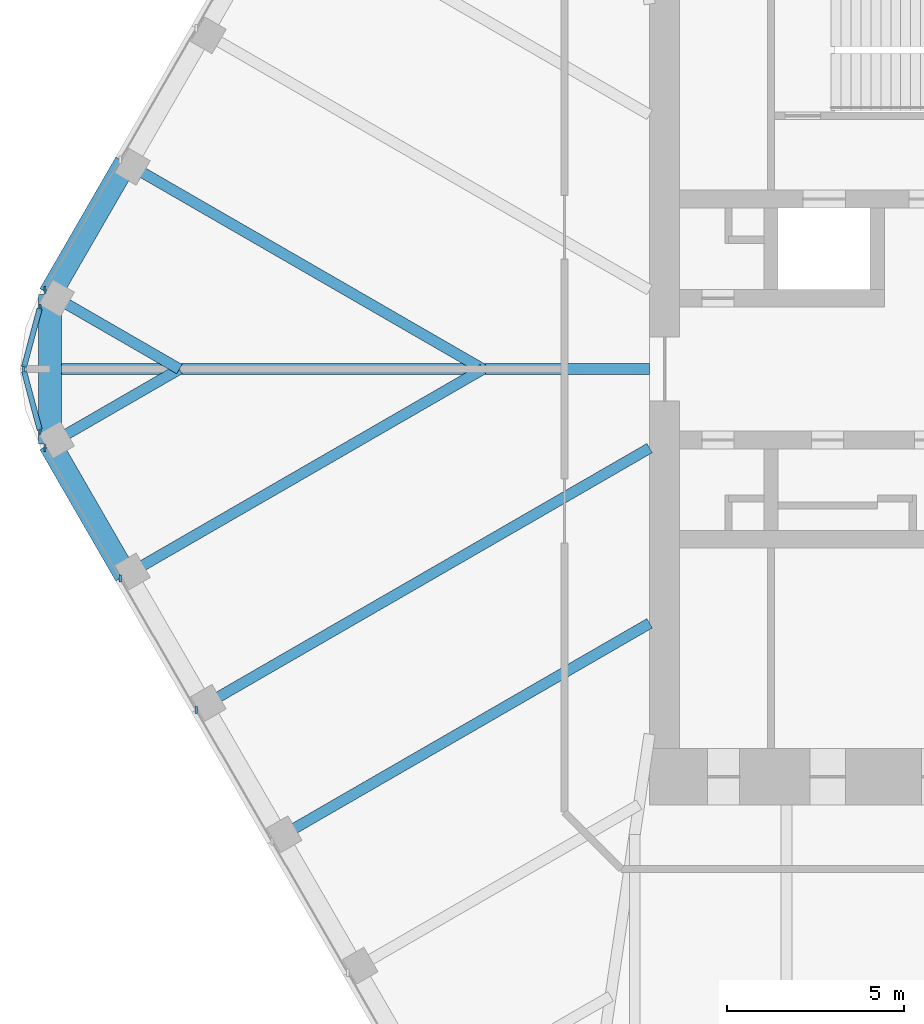
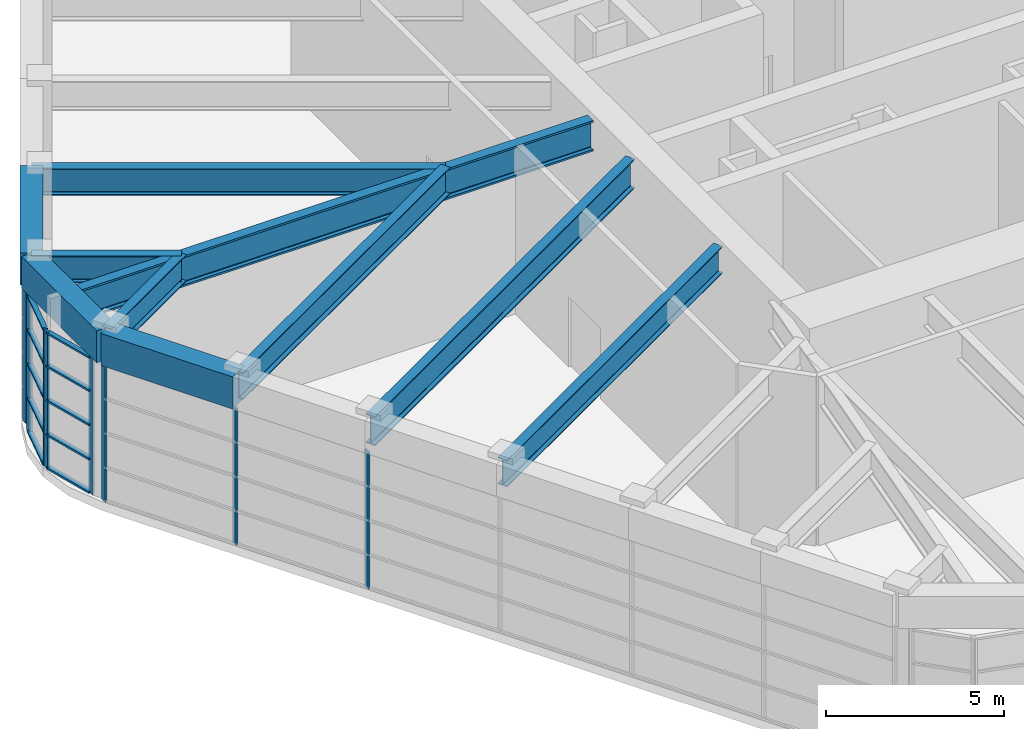
# One storey, part 4 of 16: 18 members, 10 beams, 4 elements without a shape of their own.
"""IFC4 building model written with IfcOpenShell, lengths in metres."""

from ifc_helpers import new_model, si_unit, direction, frame, origin, origin_2d, place, context, subcontext, project, spatial, rectangle, i_section, extrude, material, material_profile, profile_set, type_object, element, aggregate, save


model = new_model("IFC4")

# Units and contexts
model_context = context("Model", 3, precision=1e-05, world=origin(), true_north=direction((0.0, 1.0)))
body_context = subcontext(model_context, "Body", "Model", "MODEL_VIEW")
ifc_project = project(units=[si_unit("LENGTHUNIT", "METRE"), si_unit("AREAUNIT", "SQUARE_METRE"), si_unit("VOLUMEUNIT", "CUBIC_METRE"), si_unit("PLANEANGLEUNIT", "RADIAN"), si_unit("MASSUNIT", "GRAM", prefix="KILO")], contexts=[model_context])

# Site, building, storey
site_placement = place(None, origin())
site = spatial("IfcSite", under=ifc_project, at=site_placement, CompositionType="ELEMENT")
building_placement = place(site_placement, origin())
building = spatial("IfcBuilding", under=site, at=building_placement, Name="Tarfa Lantern Tower", CompositionType="ELEMENT")
storey_placement = place(building_placement, frame((0.0, 0.0, 396.300048828125)))
storey = spatial("IfcBuildingStorey", under=building, at=storey_placement, Name="L90", CompositionType="ELEMENT", Elevation=396.300048828125)

# Curtain wall, members
ifc_material_1 = material(Name="Aluminium framed curtain wall", Category="aluminium")
curtain_wall_type = type_object("IfcCurtainWallType", Name="CW8 LANTERN GLAZING 4700", PredefinedType="USERDEFINED", material=ifc_material_1)
curtain_wall_1_placement = place(storey_placement, origin())
curtain_wall_1 = element("IfcCurtainWall", 1, at=curtain_wall_1_placement, inside=storey, type_object=curtain_wall_type, Name="CW8 NWSW1 L90", ObjectType="CURTAIN WALL", PredefinedType="USERDEFINED")
ifc_material_2 = material(Name="Aluminium mullion", Category="aluminium")
ifc_material_profile_1 = material_profile(ifc_material_2, rectangle(XDim=0.06494140625, YDim=0.199951171875, at=origin_2d()), Name="AL MULLION 65x200")
ifc_profile_set_1 = profile_set([ifc_material_profile_1], Name="Aluminium mullion")
member_type_1 = type_object("IfcMemberType", Name="CWM1 MULLION 65x200", PredefinedType="MULLION", material=ifc_profile_set_1)
member_1_placement = place(storey_placement, frame((-29.625244140625, 1.74267578125, 0.0), z_axis=(0.0, 0.0, 1.0), x_axis=(1.0, 0.0, 0.0)))
member_1 = element("IfcMember", 2, at=member_1_placement, type_object=member_type_1, Name="CW8 mullion 1", PredefinedType="MULLION", context=body_context, shape_type="SweptSolid", body=[
    extrude(rectangle(XDim=0.06494140625, YDim=0.199951171875, at=origin_2d()), origin(), (0.0, 0.0, 1.0), 4.699951171875),
])
member_2_placement = place(storey_placement, frame((-30.083740234375, 0.031494140625, 0.0), z_axis=(0.0, 0.0, 1.0), x_axis=(1.0, 0.0, 0.0)))
member_2 = element("IfcMember", 3, at=member_2_placement, type_object=member_type_1, Name="CW8 mullion 2", PredefinedType="MULLION", context=body_context, shape_type="SweptSolid", body=[
    extrude(rectangle(XDim=0.06494140625, YDim=0.199951171875, at=origin_2d()), origin(), (0.0, 0.0, 1.0), 4.699951171875),
])

curtain_wall_2_placement = place(storey_placement, origin())
curtain_wall_2 = element("IfcCurtainWall", 4, at=curtain_wall_2_placement, inside=storey, type_object=curtain_wall_type, Name="CW8 NWSW2 L90", ObjectType="CURTAIN WALL", PredefinedType="USERDEFINED")
member_3_placement = place(storey_placement, frame((-30.083740234375, -0.031494140625, 0.0), z_axis=(0.0, 0.0, 1.0), x_axis=(1.0, 0.0, 0.0)))
member_3 = element("IfcMember", 5, at=member_3_placement, type_object=member_type_1, Name="CW8 mullion 1", PredefinedType="MULLION", context=body_context, shape_type="SweptSolid", body=[
    extrude(rectangle(XDim=0.06494140625, YDim=0.199951171875, at=origin_2d()), origin(), (0.0, 0.0, 1.0), 4.699951171875),
])
member_4_placement = place(storey_placement, frame((-29.625244140625, -1.74267578125, 0.0), z_axis=(0.0, 0.0, 1.0), x_axis=(1.0, 0.0, 0.0)))
member_4 = element("IfcMember", 6, at=member_4_placement, type_object=member_type_1, Name="CW8 mullion 2", PredefinedType="MULLION", context=body_context, shape_type="SweptSolid", body=[
    extrude(rectangle(XDim=0.06494140625, YDim=0.199951171875, at=origin_2d()), origin(), (0.0, 0.0, 1.0), 4.699951171875),
])

# Curtain wall, member
curtain_wall_3_placement = place(storey_placement, origin())
curtain_wall_3 = element("IfcCurtainWall", 7, at=curtain_wall_3_placement, inside=storey, type_object=curtain_wall_type, Name="CW8 NW L90", ObjectType="CURTAIN WALL", PredefinedType="USERDEFINED")
member_5_placement = place(storey_placement, frame((-29.486328125, 2.22802734375, 0.0), z_axis=(0.0, 0.0, 1.0), x_axis=(1.0, 0.0, 0.0)))
member_5 = element("IfcMember", 8, at=member_5_placement, type_object=member_type_1, Name="CW8 mullion 7", PredefinedType="MULLION", context=body_context, shape_type="SweptSolid", body=[
    extrude(rectangle(XDim=0.06494140625, YDim=0.199951171875, at=origin_2d()), origin(), (0.0, 0.0, 1.0), 4.699951171875),
])
aggregate(curtain_wall_3, [member_5])

# Curtain wall, members
curtain_wall_4_placement = place(storey_placement, origin())
curtain_wall_4 = element("IfcCurtainWall", 9, at=curtain_wall_4_placement, inside=storey, type_object=curtain_wall_type, Name="CW8 SW L90", ObjectType="CURTAIN WALL", PredefinedType="USERDEFINED")
member_6_placement = place(storey_placement, frame((-29.486328125, -2.22802734375, 0.0), z_axis=(0.0, 0.0, 1.0), x_axis=(1.0, 0.0, 0.0)))
member_6 = element("IfcMember", 10, at=member_6_placement, type_object=member_type_1, Name="CW8 mullion 1", PredefinedType="MULLION", context=body_context, shape_type="SweptSolid", body=[
    extrude(rectangle(XDim=0.06494140625, YDim=0.199951171875, at=origin_2d()), origin(), (0.0, 0.0, 1.0), 4.699951171875),
])
member_7_placement = place(storey_placement, frame((-27.361572265625, -5.908447265625, 0.0), z_axis=(0.0, 0.0, 1.0), x_axis=(1.0, 0.0, 0.0)))
member_7 = element("IfcMember", 11, at=member_7_placement, type_object=member_type_1, Name="CW8 mullion 2", PredefinedType="MULLION", context=body_context, shape_type="SweptSolid", body=[
    extrude(rectangle(XDim=0.06494140625, YDim=0.199951171875, at=origin_2d()), origin(), (0.0, 0.0, 1.0), 4.699951171875),
])
member_8_placement = place(storey_placement, frame((-25.220703125, -9.61669921875, 0.0), z_axis=(0.0, 0.0, 1.0), x_axis=(1.0, 0.0, 0.0)))
member_8 = element("IfcMember", 12, at=member_8_placement, type_object=member_type_1, Name="CW8 mullion 3", PredefinedType="MULLION", context=body_context, shape_type="SweptSolid", body=[
    extrude(rectangle(XDim=0.06494140625, YDim=0.199951171875, at=origin_2d()), origin(), (0.0, 0.0, 1.0), 4.699951171875),
])
aggregate(curtain_wall_4, [member_6, member_7, member_8])

# Member
ifc_material_3 = material(Name="Aluminium transom", Category="aluminium")
ifc_material_profile_2 = material_profile(ifc_material_3, rectangle(XDim=0.14990234375, YDim=0.06494140625, at=origin_2d()), Name="AL TRANSOM 150x65")
ifc_profile_set_2 = profile_set([ifc_material_profile_2], Name="Aluminium transom")
member_type_2 = type_object("IfcMemberType", Name="CWT1 TRANSOM 150x65", PredefinedType="USERDEFINED", material=ifc_profile_set_2)
member_9_placement = place(storey_placement, frame((-29.633544921875, 1.71142578125, 0.032470703125), z_axis=(-0.258757534625, -0.965942305873, 0.0), x_axis=(0.965942305873, -0.258757534625, 0.0)))
member_9 = element("IfcMember", 13, at=member_9_placement, type_object=member_type_2, Name="CW8 transom 1.1", ObjectType="TRANSOM", PredefinedType="USERDEFINED", context=body_context, shape_type="SweptSolid", body=[
    extrude(rectangle(XDim=0.14990234375, YDim=0.06494140625, at=origin_2d()), origin(), (0.0, 0.0, 1.0), 1.706787109375),
])

member_10_placement = place(storey_placement, frame((-29.633544921875, 1.71142578125, 1.175048828125), z_axis=(-0.258757534625, -0.965942305873, 0.0), x_axis=(0.965942305873, -0.258757534625, 0.0)))
member_10 = element("IfcMember", 14, at=member_10_placement, type_object=member_type_2, Name="CW8 transom 1.2", ObjectType="TRANSOM", PredefinedType="USERDEFINED", context=body_context, shape_type="SweptSolid", body=[
    extrude(rectangle(XDim=0.14990234375, YDim=0.06494140625, at=origin_2d()), origin(), (0.0, 0.0, 1.0), 1.706787109375),
])

member_11_placement = place(storey_placement, frame((-29.633544921875, 1.71142578125, 2.349853515625), z_axis=(-0.258757534625, -0.965942305873, 0.0), x_axis=(0.965942305873, -0.258757534625, 0.0)))
member_11 = element("IfcMember", 15, at=member_11_placement, type_object=member_type_2, Name="CW8 transom 1.3", ObjectType="TRANSOM", PredefinedType="USERDEFINED", context=body_context, shape_type="SweptSolid", body=[
    extrude(rectangle(XDim=0.14990234375, YDim=0.06494140625, at=origin_2d()), origin(), (0.0, 0.0, 1.0), 1.706787109375),
])

member_12_placement = place(storey_placement, frame((-29.633544921875, 1.71142578125, 3.52490234375), z_axis=(-0.258757534625, -0.965942305873, 0.0), x_axis=(0.965942305873, -0.258757534625, 0.0)))
member_12 = element("IfcMember", 16, at=member_12_placement, type_object=member_type_2, Name="CW8 transom 1.4", ObjectType="TRANSOM", PredefinedType="USERDEFINED", context=body_context, shape_type="SweptSolid", body=[
    extrude(rectangle(XDim=0.14990234375, YDim=0.06494140625, at=origin_2d()), origin(), (0.0, 0.0, 1.0), 1.706787109375),
])

member_13_placement = place(storey_placement, frame((-29.633544921875, 1.71142578125, 4.66748046875), z_axis=(-0.258757534625, -0.965942305873, 0.0), x_axis=(0.965942305873, -0.258757534625, 0.0)))
member_13 = element("IfcMember", 17, at=member_13_placement, type_object=member_type_2, Name="CW8 transom 1.5", ObjectType="TRANSOM", PredefinedType="USERDEFINED", context=body_context, shape_type="SweptSolid", body=[
    extrude(rectangle(XDim=0.14990234375, YDim=0.06494140625, at=origin_2d()), origin(), (0.0, 0.0, 1.0), 1.706787109375),
])

aggregate(curtain_wall_1, [member_1, member_2, member_9, member_10, member_11, member_12, member_13])

member_14_placement = place(storey_placement, frame((-30.0751953125, -0.062744140625, 0.032470703125), z_axis=(0.258757534625, -0.965942305873, 0.0), x_axis=(0.965942305873, 0.258757534625, 0.0)))
member_14 = element("IfcMember", 18, at=member_14_placement, type_object=member_type_2, Name="CW8 transom 1.1", ObjectType="TRANSOM", PredefinedType="USERDEFINED", context=body_context, shape_type="SweptSolid", body=[
    extrude(rectangle(XDim=0.14990234375, YDim=0.06494140625, at=origin_2d()), origin(), (0.0, 0.0, 1.0), 1.706787109375),
])

member_15_placement = place(storey_placement, frame((-30.0751953125, -0.062744140625, 1.175048828125), z_axis=(0.258757534625, -0.965942305873, 0.0), x_axis=(0.965942305873, 0.258757534625, 0.0)))
member_15 = element("IfcMember", 19, at=member_15_placement, type_object=member_type_2, Name="CW8 transom 1.2", ObjectType="TRANSOM", PredefinedType="USERDEFINED", context=body_context, shape_type="SweptSolid", body=[
    extrude(rectangle(XDim=0.14990234375, YDim=0.06494140625, at=origin_2d()), origin(), (0.0, 0.0, 1.0), 1.706787109375),
])

member_16_placement = place(storey_placement, frame((-30.0751953125, -0.062744140625, 2.349853515625), z_axis=(0.258757534625, -0.965942305873, 0.0), x_axis=(0.965942305873, 0.258757534625, 0.0)))
member_16 = element("IfcMember", 20, at=member_16_placement, type_object=member_type_2, Name="CW8 transom 1.3", ObjectType="TRANSOM", PredefinedType="USERDEFINED", context=body_context, shape_type="SweptSolid", body=[
    extrude(rectangle(XDim=0.14990234375, YDim=0.06494140625, at=origin_2d()), origin(), (0.0, 0.0, 1.0), 1.706787109375),
])

member_17_placement = place(storey_placement, frame((-30.0751953125, -0.062744140625, 3.52490234375), z_axis=(0.258757534625, -0.965942305873, 0.0), x_axis=(0.965942305873, 0.258757534625, 0.0)))
member_17 = element("IfcMember", 21, at=member_17_placement, type_object=member_type_2, Name="CW8 transom 1.4", ObjectType="TRANSOM", PredefinedType="USERDEFINED", context=body_context, shape_type="SweptSolid", body=[
    extrude(rectangle(XDim=0.14990234375, YDim=0.06494140625, at=origin_2d()), origin(), (0.0, 0.0, 1.0), 1.706787109375),
])

member_18_placement = place(storey_placement, frame((-30.0751953125, -0.062744140625, 4.66748046875), z_axis=(0.258757534625, -0.965942305873, 0.0), x_axis=(0.965942305873, 0.258757534625, 0.0)))
member_18 = element("IfcMember", 22, at=member_18_placement, type_object=member_type_2, Name="CW8 transom 1.5", ObjectType="TRANSOM", PredefinedType="USERDEFINED", context=body_context, shape_type="SweptSolid", body=[
    extrude(rectangle(XDim=0.14990234375, YDim=0.06494140625, at=origin_2d()), origin(), (0.0, 0.0, 1.0), 1.706787109375),
])

aggregate(curtain_wall_2, [member_3, member_4, member_14, member_15, member_16, member_17, member_18])

# Beams
ifc_material_4 = material(Name="Concrete C80/95", Category="concrete")
ifc_material_profile_3 = material_profile(ifc_material_4, rectangle(XDim=0.64990234375, YDim=1.10009765625, at=origin_2d()), Name="RC 650x1100")
ifc_profile_set_3 = profile_set([ifc_material_profile_3], Name="Concrete C80/95")
beam_type_1 = type_object("IfcBeamType", Name="EB4 RC 650x1100", PredefinedType="SPANDREL", material=ifc_profile_set_3)
beam_1_placement = place(storey_placement, frame((-27.205810546875, 5.818359375, 5.25), z_axis=(-0.499984039138, -0.866034618596, 0.0), x_axis=(0.866034618596, -0.499984039138, 0.0)))
element("IfcBeam", 23, at=beam_1_placement, inside=storey, type_object=beam_type_1, Name="Edge beam NW5", PredefinedType="SPANDREL", context=body_context, shape_type="SweptSolid", body=[
    extrude(rectangle(XDim=0.64990234375, YDim=1.10009765625, at=origin_2d()), origin(), (0.0, 0.0, 1.0), 4.281982421875),
])
beam_2_placement = place(storey_placement, frame((-29.3466796875, 2.110107421875, 5.25), z_axis=(0.0, -1.0, 0.0), x_axis=(1.0, 0.0, 0.0)))
element("IfcBeam", 24, at=beam_2_placement, inside=storey, type_object=beam_type_1, Name="Edge beam NW6", PredefinedType="SPANDREL", context=body_context, shape_type="SweptSolid", body=[
    extrude(rectangle(XDim=0.64990234375, YDim=1.10009765625, at=origin_2d()), origin(), (0.0, 0.0, 1.0), 4.22021484375),
])
beam_3_placement = place(storey_placement, frame((-29.3466796875, -2.110107421875, 5.25), z_axis=(0.499984039138, -0.866034618596, 0.0), x_axis=(0.866034618596, 0.499984039138, 0.0)))
element("IfcBeam", 25, at=beam_3_placement, inside=storey, type_object=beam_type_1, Name="Edge beam SW0", PredefinedType="SPANDREL", context=body_context, shape_type="SweptSolid", body=[
    extrude(rectangle(XDim=0.64990234375, YDim=1.10009765625, at=origin_2d()), origin(), (0.0, 0.0, 1.0), 4.281982421875),
])
ifc_material_5 = material(Name="Steel S460M", Category="steel")
ifc_material_profile_4 = material_profile(ifc_material_5, i_section(OverallWidth=0.302001953125, OverallDepth=1.008056640625, WebThickness=0.02099609375, FlangeThickness=0.0400390625, FilletRadius=0.030029296875, at=origin_2d()), Name="UB1016x305x349")
ifc_profile_set_4 = profile_set([ifc_material_profile_4], Name="Steel S460M")
beam_type_2 = type_object("IfcBeamType", Name="UB1016x305x349", PredefinedType="BEAM", material=ifc_profile_set_4)
beam_4_placement = place(storey_placement, frame((-25.064697265625, -9.526611328125, 5.2958984375), z_axis=(0.866029591389, 0.499992746786, 0.0), x_axis=(-0.499992746786, 0.866029591389, 0.0)))
element("IfcBeam", 26, at=beam_4_placement, inside=storey, type_object=beam_type_2, Name="Floor beam SW2", PredefinedType="BEAM", context=body_context, shape_type="SweptSolid", body=[
    extrude(i_section(OverallWidth=0.302001953125, OverallDepth=1.008056640625, WebThickness=0.02099609375, FlangeThickness=0.0400390625, FilletRadius=0.030029296875, at=origin_2d()), origin(), (0.0, 0.0, 1.0), 14.594970703125),
])
ifc_material_profile_5 = material_profile(ifc_material_5, i_section(OverallWidth=0.314208984375, OverallDepth=1.055908203125, WebThickness=0.035888671875, FlangeThickness=0.06396484375, FilletRadius=0.030029296875, at=origin_2d()), Name="UB1016x305x584")
ifc_profile_set_5 = profile_set([ifc_material_profile_5], Name="Steel S460M")
beam_type_3 = type_object("IfcBeamType", Name="UB1016x305x584", PredefinedType="BEAM", material=ifc_profile_set_5)
beam_5_placement = place(storey_placement, frame((-12.425048828125, 0.0, 5.27197265625), z_axis=(-1.0, 0.0, 0.0), x_axis=(0.0, -1.0, 0.0)))
element("IfcBeam", 27, at=beam_5_placement, inside=storey, type_object=beam_type_3, Name="Hip girder W", PredefinedType="BEAM", context=body_context, shape_type="SweptSolid", body=[
    extrude(i_section(OverallWidth=0.314208984375, OverallDepth=1.055908203125, WebThickness=0.035888671875, FlangeThickness=0.06396484375, FilletRadius=0.030029296875, at=origin_2d()), origin(), (0.0, 0.0, 1.0), 16.921630859375),
])
ifc_material_profile_6 = material_profile(ifc_material_5, i_section(OverallWidth=0.305419921875, OverallDepth=0.91845703125, WebThickness=0.017333984375, FlangeThickness=0.02783203125, FilletRadius=0.01904296875, at=origin_2d()), Name="UB914x305x253")
ifc_profile_set_6 = profile_set([ifc_material_profile_6], Name="Steel S460M")
beam_type_4 = type_object("IfcBeamType", Name="UB914x305x253", PredefinedType="BEAM", material=ifc_profile_set_6)
beam_6_placement = place(storey_placement, frame((-27.205810546875, 5.818359375, 5.3408203125), z_axis=(0.866024171998, -0.500002133511, 0.0), x_axis=(0.500002133511, 0.866024171998, 0.0)))
element("IfcBeam", 28, at=beam_6_placement, inside=storey, type_object=beam_type_4, Name="Floor beam NW5", PredefinedType="BEAM", context=body_context, shape_type="SweptSolid", body=[
    extrude(i_section(OverallWidth=0.305419921875, OverallDepth=0.91845703125, WebThickness=0.017333984375, FlangeThickness=0.02783203125, FilletRadius=0.01904296875, at=origin_2d()), origin(), (0.0, 0.0, 1.0), 11.63671875),
])
for number, where, z_axis, x_axis, name in (
    (29, (-29.3466796875, 2.110107421875, 5.3408203125), (0.866009274789, -0.500027935199, 0.0), (0.500027935199, 0.866009274789, 0.0), "Floor beam NW6"),
    (30, (-29.3466796875, -2.110107421875, 5.3408203125), (0.866009274789, 0.500027935199, 0.0), (-0.500027935199, 0.866009274789, 0.0), "Floor beam SW0"),
):
    element("IfcBeam", number, at=place(storey_placement, frame(where, z_axis=z_axis, x_axis=x_axis)), inside=storey, type_object=beam_type_4, Name=name, PredefinedType="BEAM", context=body_context, shape_type="SweptSolid", body=[
        extrude(i_section(OverallWidth=0.305419921875, OverallDepth=0.91845703125, WebThickness=0.017333984375, FlangeThickness=0.02783203125, FilletRadius=0.01904296875, at=origin_2d()), origin(), (0.0, 0.0, 1.0), 4.219970703125),
    ])
beam_7_placement = place(storey_placement, frame((-27.205810546875, -5.818359375, 5.3408203125), z_axis=(0.866024171998, 0.500002133511, 0.0), x_axis=(-0.500002133511, 0.866024171998, 0.0)))
element("IfcBeam", 31, at=beam_7_placement, inside=storey, type_object=beam_type_4, Name="Floor beam SW1", PredefinedType="BEAM", context=body_context, shape_type="SweptSolid", body=[
    extrude(i_section(OverallWidth=0.305419921875, OverallDepth=0.91845703125, WebThickness=0.017333984375, FlangeThickness=0.02783203125, FilletRadius=0.01904296875, at=origin_2d()), origin(), (0.0, 0.0, 1.0), 11.63671875),
])
beam_8_placement = place(storey_placement, frame((-22.923583984375, -13.235107421875, 5.3408203125), z_axis=(0.86601856927, 0.500011837539, 0.0), x_axis=(-0.500011837539, 0.86601856927, 0.0)))
element("IfcBeam", 32, at=beam_8_placement, inside=storey, type_object=beam_type_4, Name="Floor beam SW3", PredefinedType="BEAM", context=body_context, shape_type="SweptSolid", body=[
    extrude(i_section(OverallWidth=0.305419921875, OverallDepth=0.91845703125, WebThickness=0.017333984375, FlangeThickness=0.02783203125, FilletRadius=0.01904296875, at=origin_2d()), origin(), (0.0, 0.0, 1.0), 12.122802734375),
])

save(model, "model.ifc")
